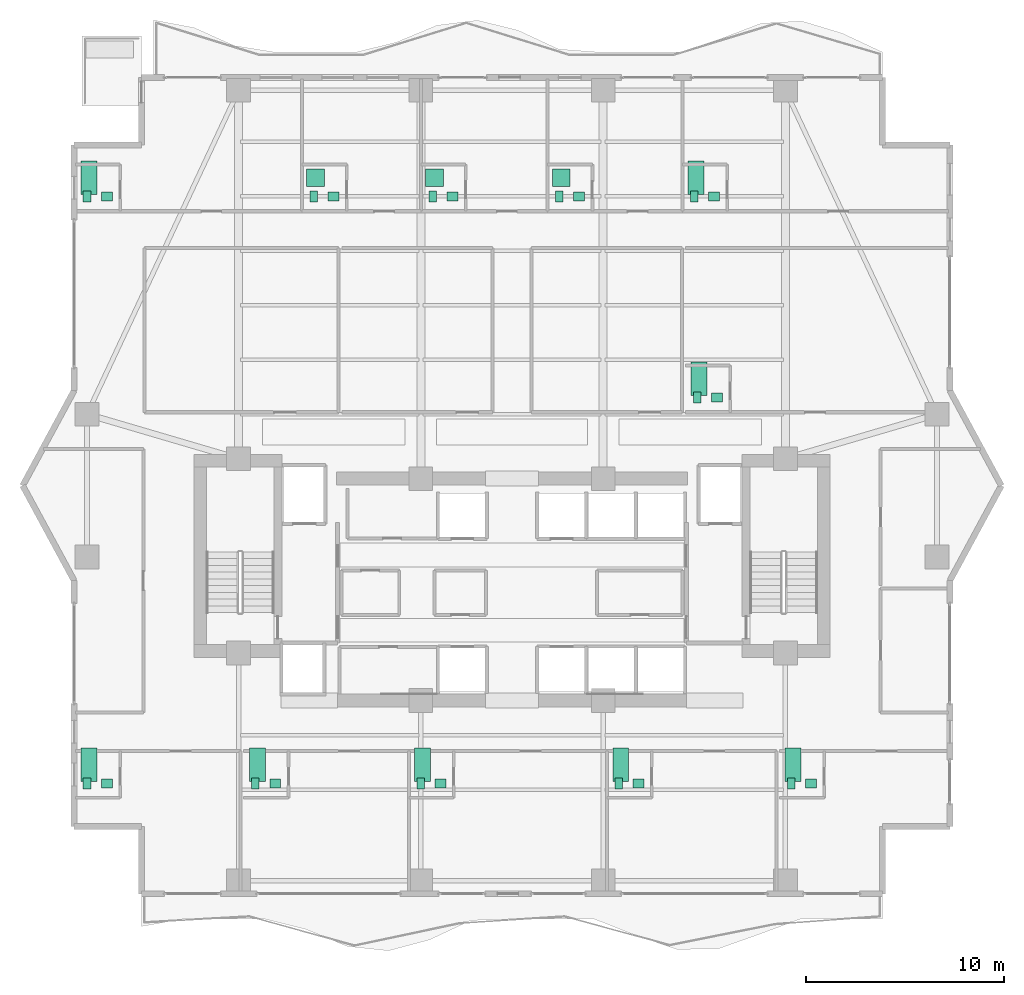
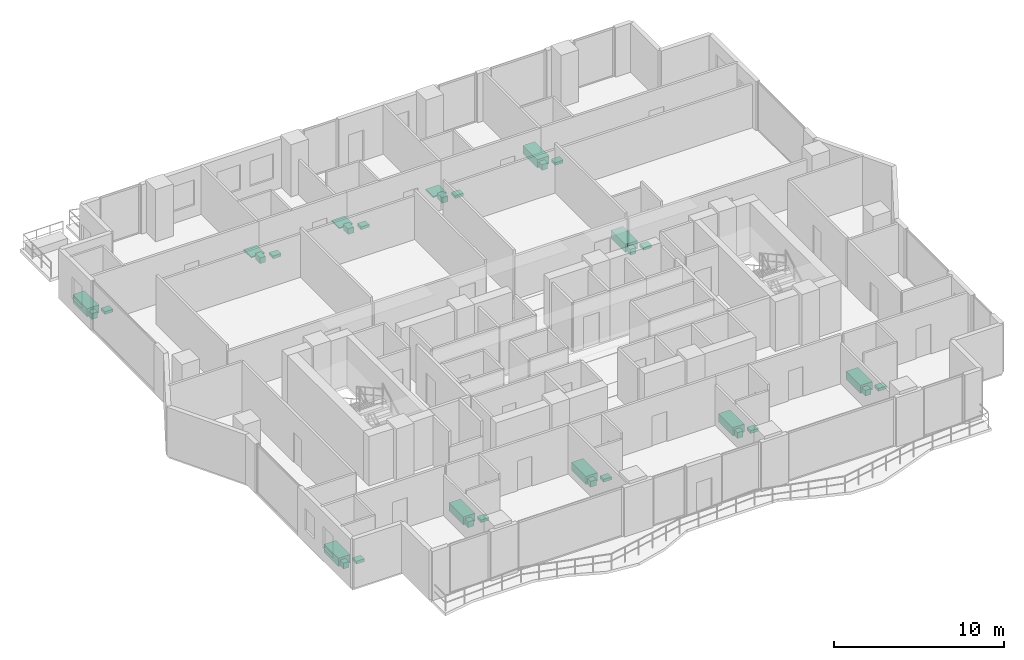
# One storey, part 32 of 32: 33 sanitary terminals.
"""IFC4 building model written with IfcOpenShell, lengths in metres."""

from ifc_helpers import new_model, si_unit, direction, frame, origin, origin_2d, place, context, subcontext, project, spatial, rectangle, extrude, material, type_object, element, save


model = new_model("IFC4")

# Units and contexts
model_context = context("Model", 3, precision=1e-05, world=origin(), true_north=direction((0.0, 1.0)))
body_context = subcontext(model_context, "Body", "Model", "MODEL_VIEW")
ifc_project = project(units=[si_unit("LENGTHUNIT", "METRE"), si_unit("AREAUNIT", "SQUARE_METRE"), si_unit("VOLUMEUNIT", "CUBIC_METRE"), si_unit("PLANEANGLEUNIT", "RADIAN"), si_unit("MASSUNIT", "GRAM", prefix="KILO")], contexts=[model_context])

# Site, building, storey
site_placement = place(None, origin())
site = spatial("IfcSite", under=ifc_project, at=site_placement, CompositionType="ELEMENT")
building_placement = place(site_placement, origin())
building = spatial("IfcBuilding", under=site, at=building_placement, Name="Zuhayl Quay Hotel", CompositionType="ELEMENT")
storey_placement = place(building_placement, frame((0.0, 0.0, 181.14990234375)))
storey = spatial("IfcBuildingStorey", under=building, at=storey_placement, Name="L45", CompositionType="ELEMENT", Elevation=181.14990234375)

# Sanitary terminals
ifc_material = material(Name="Vitreous Porcelain Sanitaryware")
sanitary_terminal_type_1 = type_object("IfcSanitaryTerminalType", Name="SAN_BASIN", PredefinedType="WASHHANDBASIN", material=ifc_material)
for number, where, z_axis, x_axis, name in (
    (1, (-20.449951171875, 27.590087890625, 0.0), (0.0, 0.0, 1.0), (1.0, 0.0, 0.0), "L45 Sanitary Fixture WASHHANDBASIN"),
    (2, (-9.010009765625, 27.590087890625, 0.0), (0.0, 0.0, 1.0), (1.0, 0.0, 0.0), "L45 Sanitary Fixture WASHHANDBASIN"),
    (3, (-3.010009765625, 27.590087890625, 0.0), (0.0, 0.0, 1.0), (1.0, 0.0, 0.0), "L45 Sanitary Fixture WASHHANDBASIN"),
    (4, (3.389892578125, 27.590087890625, 0.0), (0.0, 0.0, 1.0), (1.0, 0.0, 0.0), "L45 Sanitary Fixture WASHHANDBASIN"),
    (5, (10.18994140625, 27.590087890625, 0.0), (0.0, 0.0, 1.0), (1.0, 0.0, 0.0), "L45 Sanitary Fixture WASHHANDBASIN"),
    (6, (10.340087890625, 17.43994140625, 0.0), (0.0, 0.0, 1.0), (1.0, 0.0, 0.0), "L45 Sanitary Fixture WASHHANDBASIN"),
    (7, (-20.449951171875, -2.0400390625, 0.0), (0.0, 0.0, 1.0), (1.0, 0.0, 0.0), "L45 Sanitary Fixture WASHHANDBASIN"),
    (8, (-11.949951171875, -2.0400390625, 0.0), (0.0, 0.0, 1.0), (1.0, 0.0, 0.0), "L45 Sanitary Fixture WASHHANDBASIN"),
    (9, (-3.610107421875, -2.0400390625, 0.0), (0.0, 0.0, 1.0), (1.0, 0.0, 0.0), "L45 Sanitary Fixture WASHHANDBASIN"),
    (10, (6.389892578125, -2.0400390625, 0.0), (0.0, 0.0, 1.0), (1.0, 0.0, 0.0), "L45 Sanitary Fixture WASHHANDBASIN"),
    (11, (15.090087890625, -2.0400390625, 0.0), (0.0, 0.0, 1.0), (1.0, 0.0, 0.0), "L45 Sanitary Fixture WASHHANDBASIN"),
):
    element("IfcSanitaryTerminal", number, at=place(storey_placement, frame(where, z_axis=z_axis, x_axis=x_axis)), inside=storey, type_object=sanitary_terminal_type_1, Name=name, PredefinedType="WASHHANDBASIN", context=body_context, shape_type="SweptSolid", body=[
        extrude(rectangle(XDim=0.550048828125, YDim=0.449951171875, at=origin_2d()), origin(), (0.0, 0.0, 1.0), 0.199951171875),
    ])
sanitary_terminal_type_2 = type_object("IfcSanitaryTerminalType", Name="SAN_BATH", PredefinedType="BATH", material=ifc_material)
for number, where, z_axis, x_axis, name in (
    (12, (-21.35009765625, 28.5400390625, 0.0), (0.0, 0.0, 1.0), (1.0, 0.0, 0.0), "L45 Sanitary Fixture BATH"),
    (13, (9.2900390625, 28.5400390625, 0.0), (0.0, 0.0, 1.0), (1.0, 0.0, 0.0), "L45 Sanitary Fixture BATH"),
    (14, (9.43994140625, 18.389892578125, 0.0), (0.0, 0.0, 1.0), (1.0, 0.0, 0.0), "L45 Sanitary Fixture BATH"),
    (15, (-21.35009765625, -1.090087890625, 0.0), (0.0, 0.0, 1.0), (1.0, 0.0, 0.0), "L45 Sanitary Fixture BATH"),
    (16, (-12.85009765625, -1.090087890625, 0.0), (0.0, 0.0, 1.0), (1.0, 0.0, 0.0), "L45 Sanitary Fixture BATH"),
    (17, (-4.510009765625, -1.090087890625, 0.0), (0.0, 0.0, 1.0), (1.0, 0.0, 0.0), "L45 Sanitary Fixture BATH"),
    (18, (5.489990234375, -1.090087890625, 0.0), (0.0, 0.0, 1.0), (1.0, 0.0, 0.0), "L45 Sanitary Fixture BATH"),
    (19, (14.18994140625, -1.090087890625, 0.0), (0.0, 0.0, 1.0), (1.0, 0.0, 0.0), "L45 Sanitary Fixture BATH"),
):
    element("IfcSanitaryTerminal", number, at=place(storey_placement, frame(where, z_axis=z_axis, x_axis=x_axis)), inside=storey, type_object=sanitary_terminal_type_2, Name=name, PredefinedType="BATH", context=body_context, shape_type="SweptSolid", body=[
        extrude(rectangle(XDim=0.800048828125, YDim=1.699951171875, at=origin_2d()), origin(), (0.0, 0.0, 1.0), 0.580078125),
    ])
sanitary_terminal_type_3 = type_object("IfcSanitaryTerminalType", Name="SAN_SHOWER", PredefinedType="SHOWER", material=ifc_material)
for number, where, z_axis, x_axis, name in (
    (20, (-9.909912109375, 28.5400390625, 0.0), (0.0, 0.0, 1.0), (1.0, 0.0, 0.0), "L45 Sanitary Fixture SHOWER"),
    (21, (-3.909912109375, 28.5400390625, 0.0), (0.0, 0.0, 1.0), (1.0, 0.0, 0.0), "L45 Sanitary Fixture SHOWER"),
    (22, (2.489990234375, 28.5400390625, 0.0), (0.0, 0.0, 1.0), (1.0, 0.0, 0.0), "L45 Sanitary Fixture SHOWER"),
):
    element("IfcSanitaryTerminal", number, at=place(storey_placement, frame(where, z_axis=z_axis, x_axis=x_axis)), inside=storey, type_object=sanitary_terminal_type_3, Name=name, PredefinedType="SHOWER", context=body_context, shape_type="SweptSolid", body=[
        extrude(rectangle(XDim=0.89990234375, YDim=0.89990234375, at=origin_2d()), origin(), (0.0, 0.0, 1.0), 0.080078125),
    ])
sanitary_terminal_type_4 = type_object("IfcSanitaryTerminalType", Name="SAN_WC", PredefinedType="TOILETPAN", material=ifc_material)
for number, where, z_axis, x_axis, name in (
    (23, (-21.449951171875, 27.590087890625, 0.000244140625), (0.0, 0.0, 1.0), (1.0, 0.0, 0.0), "L45 Sanitary Fixture TOILETPAN"),
    (24, (-10.010009765625, 27.590087890625, 0.000244140625), (0.0, 0.0, 1.0), (1.0, 0.0, 0.0), "L45 Sanitary Fixture TOILETPAN"),
    (25, (-4.010009765625, 27.590087890625, 0.000244140625), (0.0, 0.0, 1.0), (1.0, 0.0, 0.0), "L45 Sanitary Fixture TOILETPAN"),
    (26, (2.389892578125, 27.590087890625, 0.000244140625), (0.0, 0.0, 1.0), (1.0, 0.0, 0.0), "L45 Sanitary Fixture TOILETPAN"),
    (27, (9.18994140625, 27.590087890625, 0.000244140625), (0.0, 0.0, 1.0), (1.0, 0.0, 0.0), "L45 Sanitary Fixture TOILETPAN"),
    (28, (9.340087890625, 17.43994140625, 0.000244140625), (0.0, 0.0, 1.0), (1.0, 0.0, 0.0), "L45 Sanitary Fixture TOILETPAN"),
    (29, (-21.449951171875, -2.0400390625, 0.000244140625), (0.0, 0.0, 1.0), (1.0, 0.0, 0.0), "L45 Sanitary Fixture TOILETPAN"),
    (30, (-12.949951171875, -2.0400390625, 0.000244140625), (0.0, 0.0, 1.0), (1.0, 0.0, 0.0), "L45 Sanitary Fixture TOILETPAN"),
    (31, (-4.610107421875, -2.0400390625, 0.000244140625), (0.0, 0.0, 1.0), (1.0, 0.0, 0.0), "L45 Sanitary Fixture TOILETPAN"),
    (32, (5.389892578125, -2.0400390625, 0.000244140625), (0.0, 0.0, 1.0), (1.0, 0.0, 0.0), "L45 Sanitary Fixture TOILETPAN"),
    (33, (14.090087890625, -2.0400390625, 0.000244140625), (0.0, 0.0, 1.0), (1.0, 0.0, 0.0), "L45 Sanitary Fixture TOILETPAN"),
):
    element("IfcSanitaryTerminal", number, at=place(storey_placement, frame(where, z_axis=z_axis, x_axis=x_axis)), inside=storey, type_object=sanitary_terminal_type_4, Name=name, PredefinedType="TOILETPAN", context=body_context, shape_type="SweptSolid", body=[
        extrude(rectangle(XDim=0.3798828125, YDim=0.56005859375, at=origin_2d()), origin(), (0.0, 0.0, 1.0), 0.419921875),
    ])

save(model, "model.ifc")
